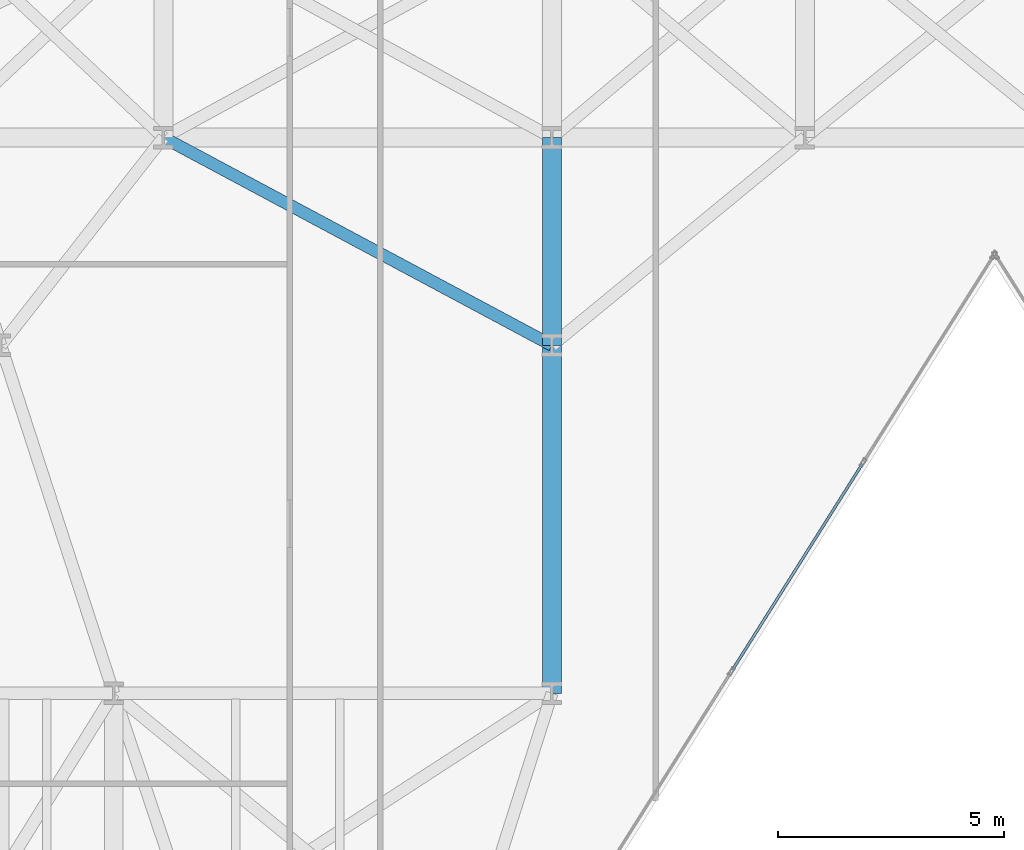
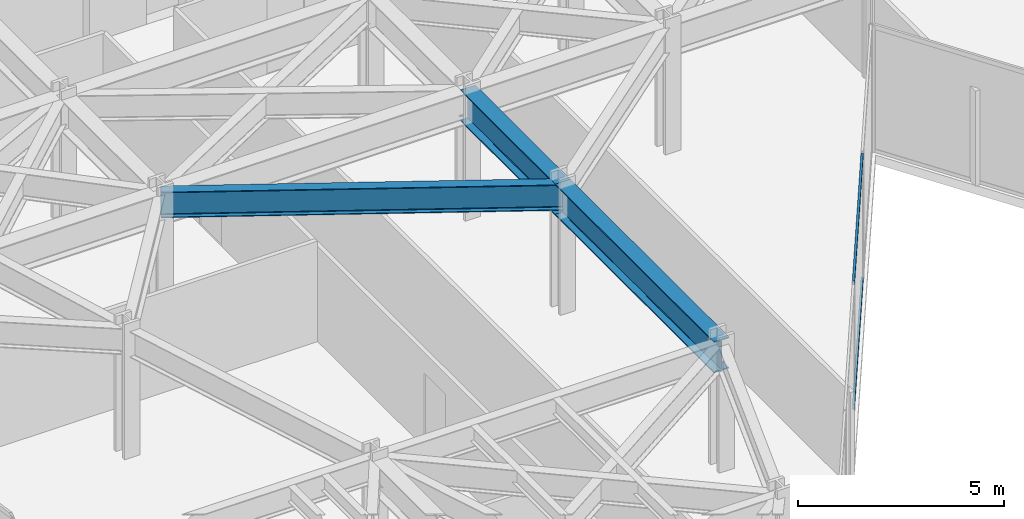
# One storey, part 9 of 24: 3 beams, 2 members, 1 element without a shape of its own.
"""IFC4 building model written with IfcOpenShell, lengths in metres."""

import ifcopenshell
import ifcopenshell.guid

model = None  # the IFC model being written
_history = None  # IfcOwnerHistory: only IFC2X3 demands one
_inside = {}  # id of a spatial element -> (the spatial element, [elements in it])
_under = {}  # id of a project, library or spatial element -> (it, [spatial elements below it])
_declared = {}  # id of a project -> (the project, [libraries it declares])
_typed = {}  # id of a type object -> (the type object, [elements of that type])
_made_of = {}  # id of a material, layer set ... -> (it, [elements and type objects made of it])


def new_model(schema):
    """Start an empty IFC model of exactly this schema.

    Asked for "IFC4X3", IfcOpenShell would pick the latest addendum, in which some entities
    have other attributes; the version numbers below select the first issue.
    IFC2X3 requires an IfcOwnerHistory on every rooted entity: one is made here for all.
    """
    global model, _history
    if schema == "IFC4X3":
        model = ifcopenshell.file(schema_version=(4, 3, 0, 0))
    else:
        model = ifcopenshell.file(schema=schema)
    _inside.clear()
    _under.clear()
    _declared.clear()
    _typed.clear()
    _made_of.clear()
    _history = None
    if model.schema == "IFC2X3":
        org = make("IfcOrganization", Name="unknown")
        user = make(
            "IfcPersonAndOrganization",
            ThePerson=make("IfcPerson", FamilyName="unknown"),
            TheOrganization=org,
        )
        app = make(
            "IfcApplication",
            ApplicationDeveloper=org,
            Version="unknown",
            ApplicationFullName="unknown",
            ApplicationIdentifier="unknown",
        )
        _history = make(
            "IfcOwnerHistory",
            OwningUser=user,
            OwningApplication=app,
            ChangeAction="ADDED",
            CreationDate=0,
        )
    return model


def make(cls, **values):
    """One entity of the class cls with the attributes given. An attribute that is None is left unset."""
    return model.create_entity(
        cls, **{name: value for name, value in values.items() if value is not None}
    )


def rooted(cls, **values):
    """An entity with a GlobalId (a new one), such as an element, a storey or a relation."""
    return make(cls, GlobalId=ifcopenshell.guid.new(), OwnerHistory=_history, **values)


def si_unit(unit_type, name, prefix=None):
    """IfcSIUnit, for example si_unit("LENGTHUNIT", "METRE", prefix="MILLI")."""
    return make("IfcSIUnit", UnitType=unit_type, Prefix=prefix, Name=name)


def assignment(units):
    """IfcUnitAssignment: the units of a project."""
    return None if units is None else make("IfcUnitAssignment", Units=units)


def point(xyz):
    """IfcCartesianPoint."""
    return None if xyz is None else make("IfcCartesianPoint", Coordinates=xyz)


def direction(xyz):
    """IfcDirection."""
    return None if xyz is None else make("IfcDirection", DirectionRatios=xyz)


def frame(location, z_axis=None, x_axis=None):
    """IfcAxis2Placement3D, a coordinate frame: its origin and axes. An axis left out is left unset."""
    return make(
        "IfcAxis2Placement3D",
        Location=point(location),
        Axis=direction(z_axis),
        RefDirection=direction(x_axis),
    )


def frame_2d(location, x_axis=None):
    """IfcAxis2Placement2D, a coordinate frame in the plane: its origin and x axis."""
    return make(
        "IfcAxis2Placement2D", Location=point(location), RefDirection=direction(x_axis)
    )


def origin():
    """The frame at (0, 0, 0) with its axes left unset."""
    return frame((0.0, 0.0, 0.0))


def origin_2d():
    """The frame at (0, 0) in the plane with its x axis left unset."""
    return frame_2d((0.0, 0.0))


def place(relative_to, where):
    """IfcLocalPlacement: puts the frame where relative to a parent placement (None: the world)."""
    return make(
        "IfcLocalPlacement", PlacementRelTo=relative_to, RelativePlacement=where
    )


def context(
    kind, dimensions, precision=None, world=None, true_north=None, identifier=None
):
    """IfcGeometricRepresentationContext, for example the 3D "Model" context."""
    return make(
        "IfcGeometricRepresentationContext",
        ContextIdentifier=identifier,
        ContextType=kind,
        CoordinateSpaceDimension=dimensions,
        Precision=precision,
        WorldCoordinateSystem=world,
        TrueNorth=true_north,
    )


def subcontext(parent, identifier, kind, view, scale=None):
    """IfcGeometricRepresentationSubContext, for example "Body" below "Model"."""
    return make(
        "IfcGeometricRepresentationSubContext",
        ContextIdentifier=identifier,
        ContextType=kind,
        ParentContext=parent,
        TargetScale=scale,
        TargetView=view,
    )


def project(units=None, contexts=None):
    """IfcProject with its units and contexts."""
    return rooted(
        "IfcProject",
        Name="project",
        RepresentationContexts=contexts,
        UnitsInContext=assignment(units),
    )


def spatial(cls, under=None, at=None, **own):
    """A site, building, storey or space (cls), placed at a placement, below another one or the project."""
    s = rooted(cls, ObjectPlacement=at, **own)
    if under is not None:
        _under.setdefault(under.id(), (under, []))[1].append(s)
    return s


def profile(cls, at=None, kind="AREA", **sizes):
    """A parametric profile (cls). Its sizes go by their IFC names, for example OverallWidth=200.0."""
    return make(cls, ProfileType=kind, Position=at, **sizes)


def hollow_rectangle(**sizes):
    """IfcRectangleHollowProfileDef."""
    return profile("IfcRectangleHollowProfileDef", **sizes)


def i_section(**sizes):
    """IfcIShapeProfileDef."""
    return profile("IfcIShapeProfileDef", **sizes)


def extrude(swept, where, along, depth):
    """IfcExtrudedAreaSolid: the profile swept, set in the frame where, extruded along a direction by depth."""
    return make(
        "IfcExtrudedAreaSolid",
        SweptArea=swept,
        Position=where,
        ExtrudedDirection=direction(along),
        Depth=depth,
    )


def shape(context_of_items, identifier, shape_type, items):
    """IfcShapeRepresentation: the items that make up one representation, for example the "Body"."""
    return make(
        "IfcShapeRepresentation",
        ContextOfItems=context_of_items,
        RepresentationIdentifier=identifier,
        RepresentationType=shape_type,
        Items=items,
    )


def material(Name=None, Category=None):
    """IfcMaterial."""
    return make("IfcMaterial", Name=Name, Category=Category)


def layer(
    of_material, thickness, ventilated=None, Name=None, Category=None, Priority=None
):
    """IfcMaterialLayer: one layer of a wall or slab, of a material (None: an air gap)."""
    return make(
        "IfcMaterialLayer",
        Material=of_material,
        LayerThickness=thickness,
        IsVentilated=ventilated,
        Name=Name,
        Category=Category,
        Priority=Priority,
    )


def layer_set(layers, Name=None):
    """IfcMaterialLayerSet."""
    return make("IfcMaterialLayerSet", MaterialLayers=layers, LayerSetName=Name)


def material_profile(
    of_material, cross_section, Name=None, Category=None, Priority=None
):
    """IfcMaterialProfile: a cross section and its material."""
    return make(
        "IfcMaterialProfile",
        Name=Name,
        Material=of_material,
        Profile=cross_section,
        Priority=Priority,
        Category=Category,
    )


def profile_set(profiles, Name=None, composite=None):
    """IfcMaterialProfileSet."""
    return make(
        "IfcMaterialProfileSet",
        Name=Name,
        MaterialProfiles=profiles,
        CompositeProfile=composite,
    )


def made_of(thing, what):
    """Note that an element or type object is made of a material, layer set ...; save() writes the relation."""
    if what is not None:
        _made_of.setdefault(what.id(), (what, []))[1].append(thing)
    return thing


def type_object(cls, material=None, **own):
    """A type object (cls), such as IfcWallType, which elements share."""
    return made_of(rooted(cls, **own), material)


def element(
    cls,
    number,
    at=None,
    inside=None,
    cuts=None,
    type_object=None,
    material=None,
    context=None,
    identifier="Body",
    shape_type=None,
    held_by="IfcProductDefinitionShape",
    body=None,
    shapes=None,
    **own,
):
    """One element of the class cls, such as IfcWall. Its Tag is "e" and its number.

    at: its placement. inside: the storey or other place that contains it. cuts: it is an
    opening in that element (IfcRelVoidsElement). A single representation is given by context,
    identifier, shape_type and body (its items); several are given by shapes. held_by: the class
    of the entity that holds the representations. save() writes the other relations.
    """
    e = rooted(cls, Tag="e%d" % number, ObjectPlacement=at, **own)
    if body is not None:
        shapes = [shape(context, identifier, shape_type, body)]
    if shapes is not None:
        e.Representation = make(held_by, Representations=shapes)
    if inside is not None:
        _inside.setdefault(inside.id(), (inside, []))[1].append(e)
    if cuts is not None:
        rooted(
            "IfcRelVoidsElement", RelatingBuildingElement=cuts, RelatedOpeningElement=e
        )
    if type_object is not None:
        _typed.setdefault(type_object.id(), (type_object, []))[1].append(e)
    return made_of(e, material)


def aggregate(whole, parts):
    """IfcRelAggregates: a whole, such as a stair, and the parts it consists of."""
    return rooted("IfcRelAggregates", RelatingObject=whole, RelatedObjects=parts)


def save(model, path):
    """Write the relations noted so far, then the file.

    IfcRelAggregates (storeys below a building ...), IfcRelContainedInSpatialStructure (elements
    in a storey), IfcRelDefinesByType, IfcRelAssociatesMaterial and IfcRelDeclares: one each for
    every whole, place, type object, material and project.
    """
    for whole, parts in _under.values():
        aggregate(whole, parts)
    for where, things in _inside.values():
        rooted(
            "IfcRelContainedInSpatialStructure",
            RelatedElements=things,
            RelatingStructure=where,
        )
    for kind, things in _typed.values():
        rooted("IfcRelDefinesByType", RelatedObjects=things, RelatingType=kind)
    for what, things in _made_of.values():
        rooted("IfcRelAssociatesMaterial", RelatedObjects=things, RelatingMaterial=what)
    for by, libraries in _declared.values():
        rooted("IfcRelDeclares", RelatingContext=by, RelatedDefinitions=libraries)
    model.write(path)


model = new_model("IFC4")

# Units and contexts
model_context = context("Model", 3, precision=1e-05, world=origin(), true_north=direction((0.0, 1.0)))
body_context = subcontext(model_context, "Body", "Model", "MODEL_VIEW")
ifc_project = project(units=[si_unit("LENGTHUNIT", "METRE"), si_unit("AREAUNIT", "SQUARE_METRE"), si_unit("VOLUMEUNIT", "CUBIC_METRE"), si_unit("PLANEANGLEUNIT", "RADIAN"), si_unit("MASSUNIT", "GRAM", prefix="KILO")], contexts=[model_context])

# Site, building, storey
site_placement = place(None, origin())
site = spatial("IfcSite", under=ifc_project, at=site_placement, CompositionType="ELEMENT")
building_placement = place(site_placement, origin())
building = spatial("IfcBuilding", under=site, at=building_placement, Name="Kravanh Interchange Tower", CompositionType="ELEMENT")
storey_placement = place(building_placement, frame((0.0, 0.0, 69.5)))
storey = spatial("IfcBuildingStorey", under=building, at=storey_placement, Name="L16", CompositionType="ELEMENT", Elevation=69.5)

# Curtain wall, members
ifc_material_1 = material(Name="Anodised Bronze Aluminium", Category="aluminium")
ifc_layer = layer(ifc_material_1, 0.179931640625)
ifc_layer_set = layer_set([ifc_layer], Name="Unitised Curtain Wall System CW-Z1 Lower Office")
curtain_wall_type = type_object("IfcCurtainWallType", Name="Unitised Curtain Wall System CW-Z1 Lower Office", PredefinedType="NOTDEFINED", material=ifc_layer_set)
curtain_wall_placement = place(storey_placement, origin())
curtain_wall = element("IfcCurtainWall", 1, at=curtain_wall_placement, inside=storey, type_object=curtain_wall_type, Name="L16 Unitised Curtain Wall CW-L16-05", PredefinedType="NOTDEFINED")
ifc_material_2 = material(Name="Anodised Bronze Aluminium", Category="aluminium")
ifc_material_profile_1 = material_profile(ifc_material_2, hollow_rectangle(XDim=0.06005859375, YDim=0.139892578125, WallThickness=0.00390625, at=origin_2d()), Name="ALU60X140X4")
ifc_profile_set_1 = profile_set([ifc_material_profile_1], Name="Anodised Bronze Aluminium")
member_type = type_object("IfcMemberType", Name="Curtain Wall Transom ALU60X140X4 Bronze", PredefinedType="USERDEFINED", material=ifc_profile_set_1)
member_1_placement = place(storey_placement, frame((34.068115234375, 19.574462890625, 0.030029296875), z_axis=(-0.533311487456, -0.84591894254, 0.0), x_axis=(0.84591894254, -0.533311487456, 0.0)))
member_1 = element("IfcMember", 2, at=member_1_placement, type_object=member_type, Name="CW-Z1 transom 2.1", ObjectType="TRANSOM", PredefinedType="USERDEFINED", context=body_context, shape_type="SweptSolid", body=[
    extrude(hollow_rectangle(XDim=0.06005859375, YDim=0.139892578125, WallThickness=0.00390625, at=origin_2d()), origin(), (0.0, 0.0, 1.0), 5.392578125),
])
member_2_placement = place(storey_placement, frame((34.068115234375, 19.574462890625, 3.7099609375), z_axis=(-0.533311487456, -0.84591894254, 0.0), x_axis=(0.84591894254, -0.533311487456, 0.0)))
member_2 = element("IfcMember", 3, at=member_2_placement, type_object=member_type, Name="CW-Z1 transom 2.2", ObjectType="TRANSOM", PredefinedType="USERDEFINED", context=body_context, shape_type="SweptSolid", body=[
    extrude(hollow_rectangle(XDim=0.06005859375, YDim=0.139892578125, WallThickness=0.00390625, at=origin_2d()), origin(), (0.0, 0.0, 1.0), 5.392578125),
])
aggregate(curtain_wall, [member_1, member_2])

# Beams
ifc_material_3 = material(Name="Structural Steel S355", Category="steel")
ifc_material_profile_2 = material_profile(ifc_material_3, i_section(OverallWidth=0.41796875, OverallDepth=0.927001953125, WebThickness=0.019287109375, FlangeThickness=0.031982421875, FilletRadius=0.028076171875, at=origin_2d()), Name="W36X231")
ifc_profile_set_2 = profile_set([ifc_material_profile_2], Name="Structural Steel S355")
beam_type_1 = type_object("IfcBeamType", Name="Floor Beam W36X231 Structural Steel S355", PredefinedType="BEAM", material=ifc_profile_set_2)
beam_1_placement = place(storey_placement, frame((27.199951171875, 22.199951171875, 3.276611328125), z_axis=(0.0, 1.0, 0.0), x_axis=(-1.0, 0.0, 0.0)))
element("IfcBeam", 4, at=beam_1_placement, inside=storey, type_object=beam_type_1, Name="L16 Primary Floor Girder 54", PredefinedType="BEAM", context=body_context, shape_type="SweptSolid", body=[
    extrude(i_section(OverallWidth=0.41796875, OverallDepth=0.927001953125, WebThickness=0.019287109375, FlangeThickness=0.031982421875, FilletRadius=0.028076171875, at=origin_2d()), origin(), (0.0, 0.0, 1.0), 4.60009765625),
])
beam_2_placement = place(storey_placement, frame((27.199951171875, 22.199951171875, 3.276611328125), z_axis=(0.0, -1.0, 0.0), x_axis=(1.0, 0.0, 0.0)))
element("IfcBeam", 5, at=beam_2_placement, inside=storey, type_object=beam_type_1, Name="L16 Primary Floor Girder 56", PredefinedType="BEAM", context=body_context, shape_type="SweptSolid", body=[
    extrude(i_section(OverallWidth=0.41796875, OverallDepth=0.927001953125, WebThickness=0.019287109375, FlangeThickness=0.031982421875, FilletRadius=0.028076171875, at=origin_2d()), origin(), (0.0, 0.0, 1.0), 7.699951171875),
])
ifc_material_4 = material(Name="Structural Steel S355", Category="steel")
ifc_material_profile_3 = material_profile(ifc_material_4, i_section(OverallWidth=0.26708984375, OverallDepth=0.761962890625, WebThickness=0.014404296875, FlangeThickness=0.021484375, FilletRadius=0.02490234375, at=origin_2d()), Name="W30X116")
ifc_profile_set_3 = profile_set([ifc_material_profile_3], Name="Structural Steel S355")
beam_type_2 = type_object("IfcBeamType", Name="Floor Spandrel W30X116 Structural Steel S355", PredefinedType="SPANDREL", material=ifc_profile_set_3)
beam_3_placement = place(storey_placement, frame((27.199951171875, 22.199951171875, 3.35888671875), z_axis=(-0.881777136221, 0.471666282489, 0.0), x_axis=(-0.471666282489, -0.881777136221, 0.0)))
element("IfcBeam", 6, at=beam_3_placement, inside=storey, type_object=beam_type_2, Name="L16 Perimeter Spandrel 57", PredefinedType="SPANDREL", context=body_context, shape_type="SweptSolid", body=[
    extrude(i_section(OverallWidth=0.26708984375, OverallDepth=0.761962890625, WebThickness=0.014404296875, FlangeThickness=0.021484375, FilletRadius=0.02490234375, at=origin_2d()), origin(), (0.0, 0.0, 1.0), 9.7529296875),
])

save(model, "model.ifc")
